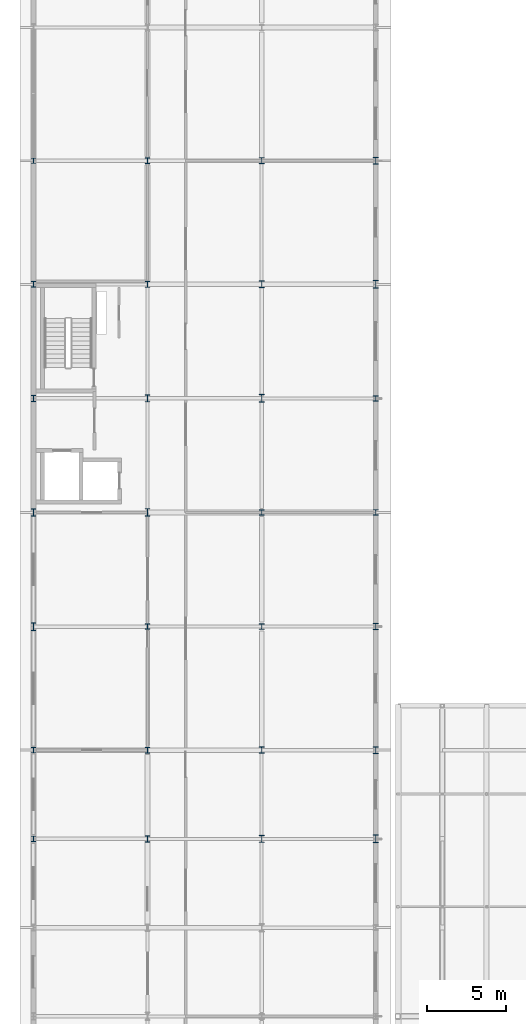
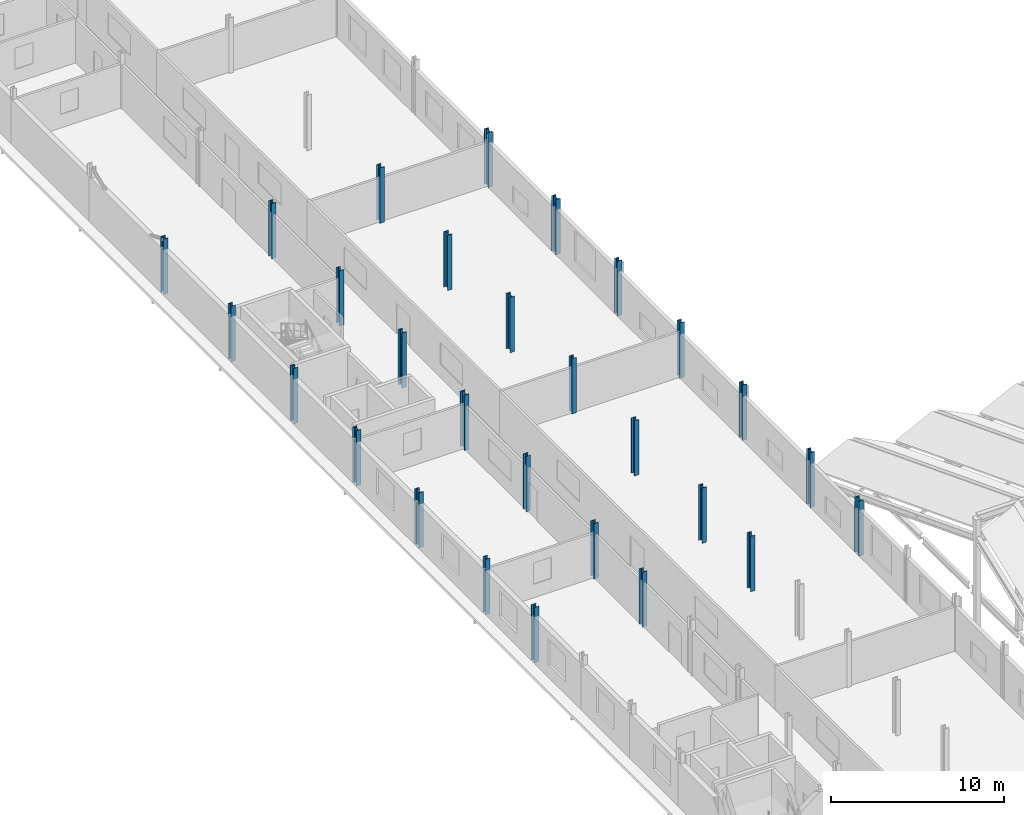
# One storey, part 3 of 49: 28 columns.
"""IFC4 building model written with IfcOpenShell, lengths in metres."""

from ifc_helpers import new_model, si_unit, direction, frame, origin, origin_2d, place, context, subcontext, project, spatial, i_section, extrude, material, material_profile, profile_set, type_object, element, save


model = new_model("IFC4")

# Units and contexts
model_context = context("Model", 3, precision=1e-05, world=origin(), true_north=direction((0.0, 1.0)))
body_context = subcontext(model_context, "Body", "Model", "MODEL_VIEW")
ifc_project = project(units=[si_unit("LENGTHUNIT", "METRE"), si_unit("AREAUNIT", "SQUARE_METRE"), si_unit("VOLUMEUNIT", "CUBIC_METRE"), si_unit("PLANEANGLEUNIT", "RADIAN"), si_unit("MASSUNIT", "GRAM", prefix="KILO")], contexts=[model_context])

# Site, building, storey
site_placement = place(None, origin())
site = spatial("IfcSite", under=ifc_project, at=site_placement, CompositionType="ELEMENT")
building_placement = place(site_placement, origin())
building = spatial("IfcBuilding", under=site, at=building_placement, Name="Vinh Khe Railworks Police Headquarters", CompositionType="ELEMENT")
storey_placement = place(building_placement, frame((0.0, 0.0, 17.10009765625)))
storey = spatial("IfcBuildingStorey", under=building, at=storey_placement, Name="L04", CompositionType="ELEMENT", Elevation=17.10009765625)

# Columns
ifc_material = material(Name="Steel S355JR", Category="steel")
ifc_material_profile_1 = material_profile(ifc_material, i_section(OverallWidth=0.300048828125, OverallDepth=0.340087890625, WebThickness=0.011962890625, FlangeThickness=0.021484375, FilletRadius=0.027099609375, at=origin_2d()), Name="HEB 340")
ifc_profile_set_1 = profile_set([ifc_material_profile_1], Name="Steel S355JR")
column_type_1 = type_object("IfcColumnType", Name="Steel Column HEB 340", PredefinedType="COLUMN", material=ifc_profile_set_1)
for number, where, z_axis, x_axis, name in (
    (1, (0.60009765625, 58.800048828125, 0.0), (0.0, 0.0, 1.0), (1.0, 0.0, 0.0), "Column COL-L04-SC-10-0082"),
    (2, (0.60009765625, 96.0, 0.0), (0.0, 0.0, 1.0), (1.0, 0.0, 0.0), "Column COL-L04-SC-10-0132"),
    (3, (7.800048828125, 66.60009765625, 0.0), (0.0, 0.0, 1.0), (1.0, 0.0, 0.0), "Column COL-L04-SC-10-0259"),
    (4, (15.0, 73.800048828125, 0.0), (0.0, 0.0, 1.0), (1.0, 0.0, 0.0), "Column COL-L04-SC-10-0436"),
    (5, (22.199951171875, 81.0, 0.0), (0.0, 0.0, 1.0), (1.0, 0.0, 0.0), "Column COL-L04-SC-10-0603"),
):
    element("IfcColumn", number, at=place(storey_placement, frame(where, z_axis=z_axis, x_axis=x_axis)), inside=storey, type_object=column_type_1, Name=name, PredefinedType="COLUMN", context=body_context, shape_type="SweptSolid", body=[
        extrude(i_section(OverallWidth=0.300048828125, OverallDepth=0.340087890625, WebThickness=0.011962890625, FlangeThickness=0.021484375, FilletRadius=0.027099609375, at=origin_2d()), origin(), (0.0, 0.0, 1.0), 3.89990234375),
    ])
ifc_material_profile_2 = material_profile(ifc_material, i_section(OverallWidth=0.300048828125, OverallDepth=0.360107421875, WebThickness=0.012451171875, FlangeThickness=0.0224609375, FilletRadius=0.027099609375, at=origin_2d()), Name="HEB 360")
ifc_profile_set_2 = profile_set([ifc_material_profile_2], Name="Steel S355JR")
column_type_2 = type_object("IfcColumnType", Name="Steel Column HEB 360", PredefinedType="COLUMN", material=ifc_profile_set_2)
for number, where, z_axis, x_axis, name in (
    (6, (0.60009765625, 53.199951171875, 0.0), (0.0, 0.0, 1.0), (1.0, 0.0, 0.0), "Column COL-L04-SC-09-0072"),
    (7, (0.60009765625, 88.199951171875, 0.0), (0.0, 0.0, 1.0), (1.0, 0.0, 0.0), "Column COL-L04-SC-09-0122"),
    (8, (7.800048828125, 58.800048828125, 0.0), (0.0, 0.0, 1.0), (1.0, 0.0, 0.0), "Column COL-L04-SC-09-0249"),
    (9, (7.800048828125, 96.0, 0.0), (0.0, 0.0, 1.0), (1.0, 0.0, 0.0), "Column COL-L04-SC-09-0299"),
    (10, (15.0, 66.60009765625, 0.0), (0.0, 0.0, 1.0), (1.0, 0.0, 0.0), "Column COL-L04-SC-09-0426"),
    (11, (22.199951171875, 73.800048828125, 0.0), (0.0, 0.0, 1.0), (1.0, 0.0, 0.0), "Column COL-L04-SC-09-0594"),
):
    element("IfcColumn", number, at=place(storey_placement, frame(where, z_axis=z_axis, x_axis=x_axis)), inside=storey, type_object=column_type_2, Name=name, PredefinedType="COLUMN", context=body_context, shape_type="SweptSolid", body=[
        extrude(i_section(OverallWidth=0.300048828125, OverallDepth=0.360107421875, WebThickness=0.012451171875, FlangeThickness=0.0224609375, FilletRadius=0.027099609375, at=origin_2d()), origin(), (0.0, 0.0, 1.0), 3.89990234375),
    ])
ifc_material_profile_3 = material_profile(ifc_material, i_section(OverallWidth=0.300048828125, OverallDepth=0.39990234375, WebThickness=0.013427734375, FlangeThickness=0.02392578125, FilletRadius=0.027099609375, at=origin_2d()), Name="HEB 400")
ifc_profile_set_3 = profile_set([ifc_material_profile_3], Name="Steel S355JR")
column_type_3 = type_object("IfcColumnType", Name="Steel Column HEB 400", PredefinedType="COLUMN", material=ifc_profile_set_3)
for number, where, z_axis, x_axis, name in (
    (12, (0.60009765625, 81.0, 0.0), (0.0, 0.0, 1.0), (1.0, 0.0, 0.0), "Column COL-L04-SC-08-0112"),
    (13, (7.800048828125, 53.199951171875, 0.0), (0.0, 0.0, 1.0), (1.0, 0.0, 0.0), "Column COL-L04-SC-08-0239"),
    (14, (7.800048828125, 88.199951171875, 0.0), (0.0, 0.0, 1.0), (1.0, 0.0, 0.0), "Column COL-L04-SC-08-0289"),
    (15, (15.0, 58.800048828125, 0.0), (0.0, 0.0, 1.0), (1.0, 0.0, 0.0), "Column COL-L04-SC-08-0416"),
    (16, (15.0, 96.0, 0.0), (0.0, 0.0, 1.0), (1.0, 0.0, 0.0), "Column COL-L04-SC-08-0466"),
    (17, (22.199951171875, 66.60009765625, 0.0), (0.0, 0.0, 1.0), (1.0, 0.0, 0.0), "Column COL-L04-SC-08-0585"),
):
    element("IfcColumn", number, at=place(storey_placement, frame(where, z_axis=z_axis, x_axis=x_axis)), inside=storey, type_object=column_type_3, Name=name, PredefinedType="COLUMN", context=body_context, shape_type="SweptSolid", body=[
        extrude(i_section(OverallWidth=0.300048828125, OverallDepth=0.39990234375, WebThickness=0.013427734375, FlangeThickness=0.02392578125, FilletRadius=0.027099609375, at=origin_2d()), origin(), (0.0, 0.0, 1.0), 3.89990234375),
    ])
ifc_material_profile_4 = material_profile(ifc_material, i_section(OverallWidth=0.300048828125, OverallDepth=0.449951171875, WebThickness=0.013916015625, FlangeThickness=0.02587890625, FilletRadius=0.027099609375, at=origin_2d()), Name="HEB 450")
ifc_profile_set_4 = profile_set([ifc_material_profile_4], Name="Steel S355JR")
column_type_4 = type_object("IfcColumnType", Name="Steel Column HEB 450", PredefinedType="COLUMN", material=ifc_profile_set_4)
for number, where, z_axis, x_axis, name in (
    (18, (0.60009765625, 73.800048828125, 0.0), (0.0, 0.0, 1.0), (1.0, 0.0, 0.0), "Column COL-L04-SC-07-0102"),
    (19, (7.800048828125, 81.0, 0.0), (0.0, 0.0, 1.0), (1.0, 0.0, 0.0), "Column COL-L04-SC-07-0279"),
    (20, (15.0, 53.199951171875, 0.0), (0.0, 0.0, 1.0), (1.0, 0.0, 0.0), "Column COL-L04-SC-07-0406"),
    (21, (15.0, 88.199951171875, 0.0), (0.0, 0.0, 1.0), (1.0, 0.0, 0.0), "Column COL-L04-SC-07-0456"),
    (22, (22.199951171875, 58.800048828125, 0.0), (0.0, 0.0, 1.0), (1.0, 0.0, 0.0), "Column COL-L04-SC-07-0576"),
    (23, (22.199951171875, 96.0, 0.0), (0.0, 0.0, 1.0), (1.0, 0.0, 0.0), "Column COL-L04-SC-07-0621"),
):
    element("IfcColumn", number, at=place(storey_placement, frame(where, z_axis=z_axis, x_axis=x_axis)), inside=storey, type_object=column_type_4, Name=name, PredefinedType="COLUMN", context=body_context, shape_type="SweptSolid", body=[
        extrude(i_section(OverallWidth=0.300048828125, OverallDepth=0.449951171875, WebThickness=0.013916015625, FlangeThickness=0.02587890625, FilletRadius=0.027099609375, at=origin_2d()), origin(), (0.0, 0.0, 1.0), 3.89990234375),
    ])
ifc_material_profile_5 = material_profile(ifc_material, i_section(OverallWidth=0.300048828125, OverallDepth=0.5, WebThickness=0.014404296875, FlangeThickness=0.028076171875, FilletRadius=0.027099609375, at=origin_2d()), Name="HEB 500")
ifc_profile_set_5 = profile_set([ifc_material_profile_5], Name="Steel S355JR")
column_type_5 = type_object("IfcColumnType", Name="Steel Column HEB 500", PredefinedType="COLUMN", material=ifc_profile_set_5)
for number, where, z_axis, x_axis, name in (
    (24, (0.60009765625, 66.60009765625, 0.0), (0.0, 0.0, 1.0), (1.0, 0.0, 0.0), "Column COL-L04-SC-06-0092"),
    (25, (7.800048828125, 73.800048828125, 0.0), (0.0, 0.0, 1.0), (1.0, 0.0, 0.0), "Column COL-L04-SC-06-0269"),
    (26, (15.0, 81.0, 0.0), (0.0, 0.0, 1.0), (1.0, 0.0, 0.0), "Column COL-L04-SC-06-0446"),
    (27, (22.199951171875, 53.199951171875, 0.0), (0.0, 0.0, 1.0), (1.0, 0.0, 0.0), "Column COL-L04-SC-06-0567"),
    (28, (22.199951171875, 88.199951171875, 0.0), (0.0, 0.0, 1.0), (1.0, 0.0, 0.0), "Column COL-L04-SC-06-0612"),
):
    element("IfcColumn", number, at=place(storey_placement, frame(where, z_axis=z_axis, x_axis=x_axis)), inside=storey, type_object=column_type_5, Name=name, PredefinedType="COLUMN", context=body_context, shape_type="SweptSolid", body=[
        extrude(i_section(OverallWidth=0.300048828125, OverallDepth=0.5, WebThickness=0.014404296875, FlangeThickness=0.028076171875, FilletRadius=0.027099609375, at=origin_2d()), origin(), (0.0, 0.0, 1.0), 3.89990234375),
    ])

save(model, "model.ifc")
